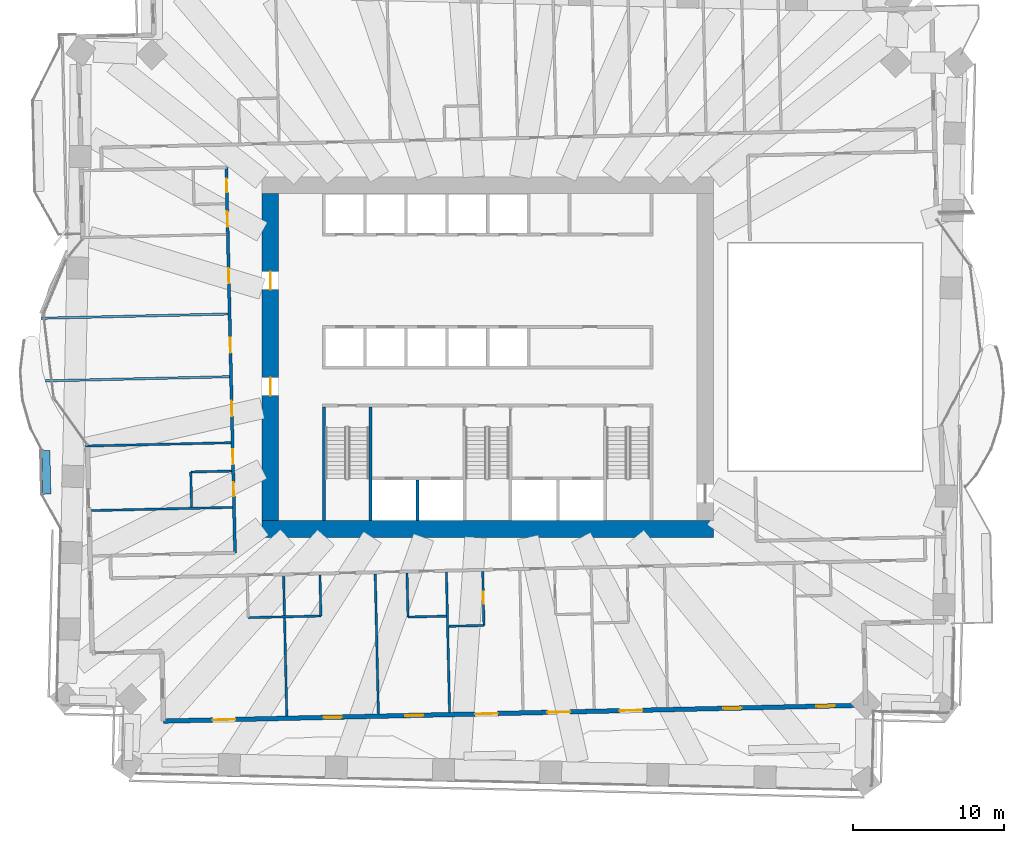
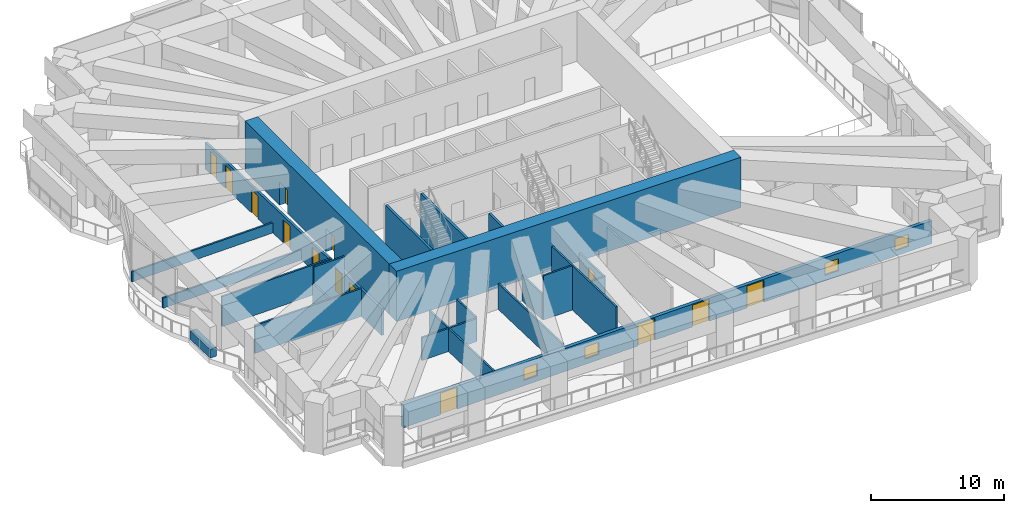
# One storey, part 10 of 20: 23 walls, 14 doors, 4 windows, 18 openings.
"""IFC4 building model written with IfcOpenShell, lengths in metres."""

from ifc_helpers import new_model, si_unit, direction, frame, frame_2d, origin, place, context, subcontext, project, spatial, rectangle, extrude, material, layer, layer_set, type_object, element, fill, save


model = new_model("IFC4")

# Units and contexts
model_context = context("Model", 3, precision=1e-05, world=origin(), true_north=direction((0.0, 1.0)))
body_context = subcontext(model_context, "Body", "Model", "MODEL_VIEW")
ifc_project = project(units=[si_unit("LENGTHUNIT", "METRE"), si_unit("AREAUNIT", "SQUARE_METRE"), si_unit("VOLUMEUNIT", "CUBIC_METRE"), si_unit("PLANEANGLEUNIT", "RADIAN"), si_unit("MASSUNIT", "GRAM", prefix="KILO")], contexts=[model_context])

# Site, building, storey
site_placement = place(None, origin())
site = spatial("IfcSite", under=ifc_project, at=site_placement, CompositionType="ELEMENT")
building_placement = place(site_placement, origin())
building = spatial("IfcBuilding", under=site, at=building_placement, Name="Mangrove Gate Tower", CompositionType="ELEMENT")
storey_placement = place(building_placement, frame((0.0, 0.0, 74.699951171875)))
storey = spatial("IfcBuildingStorey", under=building, at=storey_placement, Name="L18", CompositionType="ELEMENT", Elevation=74.699951171875)

# Walls
ifc_material_1 = material(Name="Concrete C70/85", Category="concrete")
ifc_layer_1 = layer(ifc_material_1, 0.199951171875)
ifc_layer_set_1 = layer_set([ifc_layer_1], Name="Core shaft wall 200 C70/85")
wall_type_1 = type_object("IfcWallType", Name="Core shaft wall 200 C70/85", PredefinedType="SHEAR", material=ifc_layer_set_1)
wall_1_placement = place(storey_placement, frame((-4.64990234375, -10.800048828125, 0.0), z_axis=(0.0, 0.0, 1.0), x_axis=(0.0, 1.0, 0.0)))
element("IfcWall", 1, at=wall_1_placement, inside=storey, type_object=wall_type_1, Name="WALL-L18-CORE-16", PredefinedType="SHEAR", context=body_context, shape_type="SweptSolid", body=[
    extrude(rectangle(XDim=2.699951171875, YDim=0.199951171875, at=frame_2d((1.35009765625, 0.0))), origin(), (0.0, 0.0, 1.0), 4.050048828125),
])
ifc_material_2 = material(Name="Concrete C70/85", Category="concrete")
ifc_layer_2 = layer(ifc_material_2, 0.199951171875)
ifc_layer_set_2 = layer_set([ifc_layer_2], Name="Core stair wall 200 C70/85")
wall_type_2 = type_object("IfcWallType", Name="Core stair wall 200 C70/85", PredefinedType="SHEAR", material=ifc_layer_set_2)
for number, where, z_axis, x_axis, name in (
    (2, (-10.800048828125, -10.800048828125, 0.0), (0.0, 0.0, 1.0), (0.0, 1.0, 0.0), "WALL-L18-CORE-9"),
    (3, (-7.75, -10.800048828125, 0.0), (0.0, 0.0, 1.0), (0.0, 1.0, 0.0), "WALL-L18-CORE-10"),
):
    element("IfcWall", number, at=place(storey_placement, frame(where, z_axis=z_axis, x_axis=x_axis)), inside=storey, type_object=wall_type_2, Name=name, PredefinedType="SHEAR", context=body_context, shape_type="SweptSolid", body=[
        extrude(rectangle(XDim=7.5, YDim=0.199951171875, at=frame_2d((3.75, 0.0))), origin(), (0.0, 0.0, 1.0), 4.050048828125),
    ])
ifc_material_3 = material(Name="Concrete C70/85", Category="concrete")
ifc_layer_3 = layer(ifc_material_3, 1.10009765625)
ifc_layer_set_3 = layer_set([ifc_layer_3], Name="Core wall 1100 C70/85")
wall_type_3 = type_object("IfcWallType", Name="Core wall 1100 C70/85", PredefinedType="SHEAR", material=ifc_layer_set_3)
wall_2_placement = place(storey_placement, frame((-14.89990234375, -11.35009765625, 0.0), z_axis=(0.0, 0.0, 1.0), x_axis=(1.0, 0.0, 0.0)))
element("IfcWall", 4, at=wall_2_placement, inside=storey, type_object=wall_type_3, Name="WALL-L18-CORE-1", PredefinedType="SHEAR", context=body_context, shape_type="SweptSolid", body=[
    extrude(rectangle(XDim=29.7998046875, YDim=1.10009765625, at=frame_2d((14.89990234375, 0.0))), origin(), (0.0, 0.0, 1.0), 4.60009765625),
])

# Wall, openings, doors
wall_3_placement = place(storey_placement, frame((-14.35009765625, -10.800048828125, 0.0), z_axis=(0.0, 0.0, 1.0), x_axis=(0.0, 1.0, 0.0)))
wall_3 = element("IfcWall", 5, at=wall_3_placement, inside=storey, type_object=wall_type_3, Name="WALL-L18-CORE-3", PredefinedType="SHEAR", context=body_context, shape_type="SweptSolid", body=[
    extrude(rectangle(XDim=21.60009765625, YDim=1.10009765625, at=frame_2d((10.800048828125, 0.0))), origin(), (0.0, 0.0, 1.0), 4.60009765625),
])
opening_1_placement = place(wall_3_placement, frame((8.25, 0.0, 0.0)))
opening_1 = element("IfcOpeningElement", 6, at=opening_1_placement, cuts=wall_3, Name="Opening CD", PredefinedType="OPENING", context=body_context, shape_type="SweptSolid", body=[
    extrude(rectangle(XDim=1.199951171875, YDim=2.10009765625, at=frame_2d((0.60009765625, 1.050048828125))), frame((0.0, 0.56005859375, 0.0), z_axis=(0.0, -1.0, 0.0), x_axis=(1.0, 0.0, 0.0)), (0.0, 0.0, 1.0), 1.1201171875),
])
opening_2_placement = place(wall_3_placement, frame((15.25, 0.0, 0.0)))
opening_2 = element("IfcOpeningElement", 7, at=opening_2_placement, cuts=wall_3, Name="Opening CD", PredefinedType="OPENING", context=body_context, shape_type="SweptSolid", body=[
    extrude(rectangle(XDim=1.199951171875, YDim=2.10009765625, at=frame_2d((0.60009765625, 1.050048828125))), frame((0.0, 0.56005859375, 0.0), z_axis=(0.0, -1.0, 0.0), x_axis=(1.0, 0.0, 0.0)), (0.0, 0.0, 1.0), 1.1201171875),
])
ifc_material_4 = material(Name="Fire-rated steel door set", Category="steel")
door_type_1 = type_object("IfcDoorType", Name="Core ring door FD60 1200x2100", OperationType="DOUBLE_DOOR_SINGLE_SWING", PredefinedType="DOOR", material=ifc_material_4)
door_1_placement = place(opening_1_placement, origin())
door_1 = element("IfcDoor", 8, at=door_1_placement, inside=storey, type_object=door_type_1, Name="Core ring door W1", OperationType="DOUBLE_DOOR_SINGLE_SWING", OverallHeight=2.10009765625, OverallWidth=1.199951171875, PredefinedType="DOOR", context=body_context, shape_type="SweptSolid", body=[
    extrude(rectangle(XDim=1.199951171875, YDim=2.10009765625, at=frame_2d((0.60009765625, 1.050048828125))), frame((0.0, 0.02490234375, 0.0), z_axis=(0.0, -1.0, 0.0), x_axis=(1.0, 0.0, 0.0)), (0.0, 0.0, 1.0), 0.050048828125),
])
fill(opening_1, door_1)
door_2_placement = place(opening_2_placement, origin())
door_2 = element("IfcDoor", 9, at=door_2_placement, inside=storey, type_object=door_type_1, Name="Core ring door W2", OperationType="DOUBLE_DOOR_SINGLE_SWING", OverallHeight=2.10009765625, OverallWidth=1.199951171875, PredefinedType="DOOR", context=body_context, shape_type="SweptSolid", body=[
    extrude(rectangle(XDim=1.199951171875, YDim=2.10009765625, at=frame_2d((0.60009765625, 1.050048828125))), frame((0.0, 0.02490234375, 0.0), z_axis=(0.0, -1.0, 0.0), x_axis=(1.0, 0.0, 0.0)), (0.0, 0.0, 1.0), 0.050048828125),
])
fill(opening_2, door_2)

ifc_material_5 = material(Name="Gypsum board on steel stud, EI 60", Category="steel")
ifc_layer_4 = layer(ifc_material_5, 0.199951171875)
ifc_layer_set_4 = layer_set([ifc_layer_4], Name="Corridor wall EI 60")
wall_type_4 = type_object("IfcWallType", Name="Corridor wall EI 60", PredefinedType="PARTITIONING", material=ifc_layer_set_4)
wall_4_placement = place(storey_placement, frame((-16.68408203125, -12.9189453125, 0.0), z_axis=(0.0, 0.0, 1.0), x_axis=(-0.022706151961, 0.999742182097, 0.0)))
wall_4 = element("IfcWall", 10, at=wall_4_placement, inside=storey, type_object=wall_type_4, Name="WALL-L18-026", PredefinedType="PARTITIONING", context=body_context, shape_type="SweptSolid", body=[
    extrude(rectangle(XDim=25.450439453125, YDim=0.199951171875, at=frame_2d((12.72509765625, 0.0))), origin(), (0.0, 0.0, 1.0), 2.449951171875),
])
opening_3_placement = place(wall_4_placement, frame((21.5380859375, 0.0, 0.0)))
opening_3 = element("IfcOpeningElement", 11, at=opening_3_placement, cuts=wall_4, Name="Opening AD", PredefinedType="OPENING", context=body_context, shape_type="SweptSolid", body=[
    extrude(rectangle(XDim=1.0, YDim=2.10009765625, at=frame_2d((0.5, 1.050048828125))), frame((0.0, 0.10986328125, 0.0), z_axis=(0.0, -1.0, 0.0), x_axis=(1.0, 0.0, 0.0)), (0.0, 0.0, 1.0), 0.219970703125),
])
opening_4_placement = place(wall_4_placement, frame((23.800048828125, 0.0, 0.0)))
opening_4 = element("IfcOpeningElement", 12, at=opening_4_placement, cuts=wall_4, Name="Opening SD", PredefinedType="OPENING", context=body_context, shape_type="SweptSolid", body=[
    extrude(rectangle(XDim=0.89990234375, YDim=2.10009765625, at=frame_2d((0.449951171875, 1.050048828125))), frame((0.0, 0.10986328125, 0.0), z_axis=(0.0, -1.0, 0.0), x_axis=(1.0, 0.0, 0.0)), (0.0, 0.0, 1.0), 0.219970703125),
])
opening_5_placement = place(wall_4_placement, frame((17.7958984375, 0.0, 0.0)))
opening_5 = element("IfcOpeningElement", 13, at=opening_5_placement, cuts=wall_4, Name="Opening AD", PredefinedType="OPENING", context=body_context, shape_type="SweptSolid", body=[
    extrude(rectangle(XDim=1.0, YDim=2.10009765625, at=frame_2d((0.5, 1.050048828125))), frame((0.0, 0.10986328125, 0.0), z_axis=(0.0, -1.0, 0.0), x_axis=(1.0, 0.0, 0.0)), (0.0, 0.0, 1.0), 0.219970703125),
])
opening_6_placement = place(wall_4_placement, frame((13.205078125, 0.0, 0.0)))
opening_6 = element("IfcOpeningElement", 14, at=opening_6_placement, cuts=wall_4, Name="Opening AD", PredefinedType="OPENING", context=body_context, shape_type="SweptSolid", body=[
    extrude(rectangle(XDim=1.0, YDim=2.10009765625, at=frame_2d((0.5, 1.050048828125))), frame((0.0, 0.10986328125, 0.0), z_axis=(0.0, -1.0, 0.0), x_axis=(1.0, 0.0, 0.0)), (0.0, 0.0, 1.0), 0.219970703125),
])
opening_7_placement = place(wall_4_placement, frame((9.031005859375, 0.0, 0.0)))
opening_7 = element("IfcOpeningElement", 15, at=opening_7_placement, cuts=wall_4, Name="Opening AD", PredefinedType="OPENING", context=body_context, shape_type="SweptSolid", body=[
    extrude(rectangle(XDim=1.0, YDim=2.10009765625, at=frame_2d((0.5, 1.050048828125))), frame((0.0, 0.10986328125, 0.0), z_axis=(0.0, -1.0, 0.0), x_axis=(1.0, 0.0, 0.0)), (0.0, 0.0, 1.0), 0.219970703125),
])
opening_8_placement = place(wall_4_placement, frame((5.8369140625, 0.0, 0.0)))
opening_8 = element("IfcOpeningElement", 16, at=opening_8_placement, cuts=wall_4, Name="Opening AD", PredefinedType="OPENING", context=body_context, shape_type="SweptSolid", body=[
    extrude(rectangle(XDim=1.0, YDim=2.10009765625, at=frame_2d((0.5, 1.050048828125))), frame((0.0, 0.10986328125, 0.0), z_axis=(0.0, -1.0, 0.0), x_axis=(1.0, 0.0, 0.0)), (0.0, 0.0, 1.0), 0.219970703125),
])
opening_9_placement = place(wall_4_placement, frame((3.75, 0.0, 0.0)))
opening_9 = element("IfcOpeningElement", 17, at=opening_9_placement, cuts=wall_4, Name="Opening SD", PredefinedType="OPENING", context=body_context, shape_type="SweptSolid", body=[
    extrude(rectangle(XDim=0.89990234375, YDim=2.10009765625, at=frame_2d((0.449951171875, 1.050048828125))), frame((0.0, 0.10986328125, 0.0), z_axis=(0.0, -1.0, 0.0), x_axis=(1.0, 0.0, 0.0)), (0.0, 0.0, 1.0), 0.219970703125),
])
ifc_material_6 = material(Name="Timber door leaf", Category="wood")
door_type_2 = type_object("IfcDoorType", Name="Amenity door 1000", OperationType="SINGLE_SWING_LEFT", PredefinedType="DOOR", material=ifc_material_6)
door_3_placement = place(opening_3_placement, origin())
door_3 = element("IfcDoor", 18, at=door_3_placement, inside=storey, type_object=door_type_2, Name="DOOR-L18-STU-c5a", OperationType="SINGLE_SWING_RIGHT", OverallHeight=2.10009765625, OverallWidth=1.0, PredefinedType="DOOR", context=body_context, shape_type="SweptSolid", body=[
    extrude(rectangle(XDim=1.0, YDim=2.10009765625, at=frame_2d((0.5, 1.050048828125))), frame((0.0, 0.02490234375, 0.0), z_axis=(0.0, -1.0, 0.0), x_axis=(1.0, 0.0, 0.0)), (0.0, 0.0, 1.0), 0.050048828125),
])
fill(opening_3, door_3)
door_4_placement = place(opening_5_placement, origin())
door_4 = element("IfcDoor", 19, at=door_4_placement, inside=storey, type_object=door_type_2, Name="DOOR-L18-LNG-c5b", OperationType="SINGLE_SWING_LEFT", OverallHeight=2.10009765625, OverallWidth=1.0, PredefinedType="DOOR", context=body_context, shape_type="SweptSolid", body=[
    extrude(rectangle(XDim=1.0, YDim=2.10009765625, at=frame_2d((0.5, 1.050048828125))), frame((0.0, 0.02490234375, 0.0), z_axis=(0.0, -1.0, 0.0), x_axis=(1.0, 0.0, 0.0)), (0.0, 0.0, 1.0), 0.050048828125),
])
fill(opening_5, door_4)
door_5_placement = place(opening_6_placement, origin())
door_5 = element("IfcDoor", 20, at=door_5_placement, inside=storey, type_object=door_type_2, Name="DOOR-L18-KIT-c5b", OperationType="SINGLE_SWING_RIGHT", OverallHeight=2.10009765625, OverallWidth=1.0, PredefinedType="DOOR", context=body_context, shape_type="SweptSolid", body=[
    extrude(rectangle(XDim=1.0, YDim=2.10009765625, at=frame_2d((0.5, 1.050048828125))), frame((0.0, 0.02490234375, 0.0), z_axis=(0.0, -1.0, 0.0), x_axis=(1.0, 0.0, 0.0)), (0.0, 0.0, 1.0), 0.050048828125),
])
fill(opening_6, door_5)
door_6_placement = place(opening_7_placement, origin())
door_6 = element("IfcDoor", 21, at=door_6_placement, inside=storey, type_object=door_type_2, Name="DOOR-L18-GAM-c5b", OperationType="SINGLE_SWING_LEFT", OverallHeight=2.10009765625, OverallWidth=1.0, PredefinedType="DOOR", context=body_context, shape_type="SweptSolid", body=[
    extrude(rectangle(XDim=1.0, YDim=2.10009765625, at=frame_2d((0.5, 1.050048828125))), frame((0.0, 0.02490234375, 0.0), z_axis=(0.0, -1.0, 0.0), x_axis=(1.0, 0.0, 0.0)), (0.0, 0.0, 1.0), 0.050048828125),
])
fill(opening_7, door_6)
door_7_placement = place(opening_8_placement, origin())
door_7 = element("IfcDoor", 22, at=door_7_placement, inside=storey, type_object=door_type_2, Name="DOOR-L18-KIT-c5c", OperationType="SINGLE_SWING_RIGHT", OverallHeight=2.10009765625, OverallWidth=1.0, PredefinedType="DOOR", context=body_context, shape_type="SweptSolid", body=[
    extrude(rectangle(XDim=1.0, YDim=2.10009765625, at=frame_2d((0.5, 1.050048828125))), frame((0.0, 0.02490234375, 0.0), z_axis=(0.0, -1.0, 0.0), x_axis=(1.0, 0.0, 0.0)), (0.0, 0.0, 1.0), 0.050048828125),
])
fill(opening_8, door_7)
ifc_material_7 = material(Name="Timber door leaf", Category="wood")
door_type_3 = type_object("IfcDoorType", Name="Service room door 900", OperationType="SINGLE_SWING_LEFT", PredefinedType="DOOR", material=ifc_material_7)
door_8_placement = place(opening_4_placement, origin())
door_8 = element("IfcDoor", 23, at=door_8_placement, inside=storey, type_object=door_type_3, Name="DOOR-L18-LIN-c5b", OperationType="SINGLE_SWING_LEFT", OverallHeight=2.10009765625, OverallWidth=0.89990234375, PredefinedType="DOOR", context=body_context, shape_type="SweptSolid", body=[
    extrude(rectangle(XDim=0.89990234375, YDim=2.10009765625, at=frame_2d((0.449951171875, 1.050048828125))), frame((0.0, 0.02490234375, 0.0), z_axis=(0.0, -1.0, 0.0), x_axis=(1.0, 0.0, 0.0)), (0.0, 0.0, 1.0), 0.050048828125),
])
fill(opening_4, door_8)
door_9_placement = place(opening_9_placement, origin())
door_9 = element("IfcDoor", 24, at=door_9_placement, inside=storey, type_object=door_type_3, Name="DOOR-L18-WC-c5a", OperationType="SINGLE_SWING_RIGHT", OverallHeight=2.10009765625, OverallWidth=0.89990234375, PredefinedType="DOOR", context=body_context, shape_type="SweptSolid", body=[
    extrude(rectangle(XDim=0.89990234375, YDim=2.10009765625, at=frame_2d((0.449951171875, 1.050048828125))), frame((0.0, 0.02490234375, 0.0), z_axis=(0.0, -1.0, 0.0), x_axis=(1.0, 0.0, 0.0)), (0.0, 0.0, 1.0), 0.050048828125),
])
fill(opening_9, door_9)

# Wall, openings, doors, windows
ifc_material_8 = material(Name="Limestone", Category="masonry")
ifc_layer_5 = layer(ifc_material_8, 0.0400390625, Name="Limestone cladding")
ifc_material_9 = material(Name="Ventilated air gap")
ifc_layer_6 = layer(ifc_material_9, 0.0400390625, Name="Ventilated cavity")
ifc_material_10 = material(Name="Mineral wool insulation")
ifc_layer_7 = layer(ifc_material_10, 0.06005859375, Name="Insulation")
ifc_material_11 = material(Name="Breather membrane")
ifc_layer_8 = layer(ifc_material_11, 0.001953125, Name="Breather membrane")
ifc_material_12 = material(Name="Concrete C20/25 blockwork", Category="masonry")
ifc_layer_9 = layer(ifc_material_12, 0.14990234375, Name="Blockwork backing wall")
ifc_material_13 = material(Name="Gypsum plaster")
ifc_layer_10 = layer(ifc_material_13, 0.008056640625, Name="Internal plaster")
ifc_layer_set_5 = layer_set([ifc_layer_5, ifc_layer_6, ifc_layer_7, ifc_layer_8, ifc_layer_9, ifc_layer_10], Name="External wall 300 limestone cladding")
wall_type_5 = type_object("IfcWallType", Name="External wall 300 limestone cladding", PredefinedType="SOLIDWALL", material=ifc_layer_set_5)
wall_5_placement = place(storey_placement, frame((-21.408935546875, -24.029052734375, 0.0), z_axis=(0.0, 0.0, 1.0), x_axis=(0.999742634032, 0.022686244721, 0.0)))
wall_5 = element("IfcWall", 25, at=wall_5_placement, inside=storey, type_object=wall_type_5, Name="WALL-L18-S13", PredefinedType="SOLIDWALL", context=body_context, shape_type="SweptSolid", body=[
    extrude(rectangle(XDim=46.371826171875, YDim=0.300048828125, at=frame_2d((23.18603515625, 0.0))), origin(), (0.0, 0.0, 1.0), 2.10009765625),
])
opening_10_placement = place(wall_5_placement, frame((3.25, 0.0, 0.0)))
opening_10 = element("IfcOpeningElement", 26, at=opening_10_placement, cuts=wall_5, Name="Opening BD3", PredefinedType="OPENING", context=body_context, shape_type="SweptSolid", body=[
    extrude(rectangle(XDim=1.5, YDim=2.0, at=frame_2d((0.75, 1.0))), frame((0.0, 0.159912109375, 0.0), z_axis=(0.0, -1.0, 0.0), x_axis=(1.0, 0.0, 0.0)), (0.0, 0.0, 1.0), 0.320068359375),
])
opening_11_placement = place(wall_5_placement, frame((10.574951171875, 0.0, 0.5)))
opening_11 = element("IfcOpeningElement", 27, at=opening_11_placement, cuts=wall_5, Name="Opening W6", PredefinedType="OPENING", context=body_context, shape_type="SweptSolid", body=[
    extrude(rectangle(XDim=1.199951171875, YDim=1.10009765625, at=frame_2d((0.60009765625, 0.550048828125))), frame((0.0, 0.159912109375, 0.0), z_axis=(0.0, -1.0, 0.0), x_axis=(1.0, 0.0, 0.0)), (0.0, 0.0, 1.0), 0.320068359375),
])
opening_12_placement = place(wall_5_placement, frame((15.949951171875, 0.0, 0.5)))
opening_12 = element("IfcOpeningElement", 28, at=opening_12_placement, cuts=wall_5, Name="Opening W6", PredefinedType="OPENING", context=body_context, shape_type="SweptSolid", body=[
    extrude(rectangle(XDim=1.199951171875, YDim=1.10009765625, at=frame_2d((0.60009765625, 0.550048828125))), frame((0.0, 0.159912109375, 0.0), z_axis=(0.0, -1.0, 0.0), x_axis=(1.0, 0.0, 0.0)), (0.0, 0.0, 1.0), 0.320068359375),
])
opening_13_placement = place(wall_5_placement, frame((20.574951171875, 0.0, 0.0)))
opening_13 = element("IfcOpeningElement", 29, at=opening_13_placement, cuts=wall_5, Name="Opening BD3", PredefinedType="OPENING", context=body_context, shape_type="SweptSolid", body=[
    extrude(rectangle(XDim=1.5, YDim=2.0, at=frame_2d((0.75, 1.0))), frame((0.0, 0.159912109375, 0.0), z_axis=(0.0, -1.0, 0.0), x_axis=(1.0, 0.0, 0.0)), (0.0, 0.0, 1.0), 0.320068359375),
])
opening_14_placement = place(wall_5_placement, frame((25.35009765625, 0.0, 0.0)))
opening_14 = element("IfcOpeningElement", 30, at=opening_14_placement, cuts=wall_5, Name="Opening BD3", PredefinedType="OPENING", context=body_context, shape_type="SweptSolid", body=[
    extrude(rectangle(XDim=1.5, YDim=2.0, at=frame_2d((0.75, 1.0))), frame((0.0, 0.159912109375, 0.0), z_axis=(0.0, -1.0, 0.0), x_axis=(1.0, 0.0, 0.0)), (0.0, 0.0, 1.0), 0.320068359375),
])
opening_15_placement = place(wall_5_placement, frame((30.125, 0.0, 0.0)))
opening_15 = element("IfcOpeningElement", 31, at=opening_15_placement, cuts=wall_5, Name="Opening BD3", PredefinedType="OPENING", context=body_context, shape_type="SweptSolid", body=[
    extrude(rectangle(XDim=1.5, YDim=2.0, at=frame_2d((0.75, 1.0))), frame((0.0, 0.159912109375, 0.0), z_axis=(0.0, -1.0, 0.0), x_axis=(1.0, 0.0, 0.0)), (0.0, 0.0, 1.0), 0.320068359375),
])
opening_16_placement = place(wall_5_placement, frame((36.97509765625, 0.0, 0.5)))
opening_16 = element("IfcOpeningElement", 32, at=opening_16_placement, cuts=wall_5, Name="Opening W6", PredefinedType="OPENING", context=body_context, shape_type="SweptSolid", body=[
    extrude(rectangle(XDim=1.199951171875, YDim=1.10009765625, at=frame_2d((0.60009765625, 0.550048828125))), frame((0.0, 0.159912109375, 0.0), z_axis=(0.0, -1.0, 0.0), x_axis=(1.0, 0.0, 0.0)), (0.0, 0.0, 1.0), 0.320068359375),
])
opening_17_placement = place(wall_5_placement, frame((43.114990234375, 0.0, 0.5)))
opening_17 = element("IfcOpeningElement", 33, at=opening_17_placement, cuts=wall_5, Name="Opening W6", PredefinedType="OPENING", context=body_context, shape_type="SweptSolid", body=[
    extrude(rectangle(XDim=1.199951171875, YDim=1.10009765625, at=frame_2d((0.60009765625, 0.550048828125))), frame((0.0, 0.159912109375, 0.0), z_axis=(0.0, -1.0, 0.0), x_axis=(1.0, 0.0, 0.0)), (0.0, 0.0, 1.0), 0.320068359375),
])
ifc_material_14 = material(Name="Aluminium frame with laminated clear glass", Category="aluminium")
door_type_4 = type_object("IfcDoorType", Name="Balcony sliding door 1500x2000", OperationType="SLIDING_TO_LEFT", PredefinedType="DOOR", material=ifc_material_14)
door_10_placement = place(opening_10_placement, origin())
door_10 = element("IfcDoor", 34, at=door_10_placement, inside=storey, type_object=door_type_4, Name="DOOR-L18-S13-1", OperationType="SLIDING_TO_LEFT", OverallHeight=2.0, OverallWidth=1.5, PredefinedType="DOOR", context=body_context, shape_type="SweptSolid", body=[
    extrude(rectangle(XDim=1.5, YDim=2.0, at=frame_2d((0.75, 1.0))), frame((0.0, 0.02490234375, 0.0), z_axis=(0.0, -1.0, 0.0), x_axis=(1.0, 0.0, 0.0)), (0.0, 0.0, 1.0), 0.050048828125),
])
fill(opening_10, door_10)
door_11_placement = place(opening_13_placement, origin())
door_11 = element("IfcDoor", 35, at=door_11_placement, inside=storey, type_object=door_type_4, Name="DOOR-L18-S13-4", OperationType="SLIDING_TO_LEFT", OverallHeight=2.0, OverallWidth=1.5, PredefinedType="DOOR", context=body_context, shape_type="SweptSolid", body=[
    extrude(rectangle(XDim=1.5, YDim=2.0, at=frame_2d((0.75, 1.0))), frame((0.0, 0.02490234375, 0.0), z_axis=(0.0, -1.0, 0.0), x_axis=(1.0, 0.0, 0.0)), (0.0, 0.0, 1.0), 0.050048828125),
])
fill(opening_13, door_11)
door_12_placement = place(opening_14_placement, origin())
door_12 = element("IfcDoor", 36, at=door_12_placement, inside=storey, type_object=door_type_4, Name="DOOR-L18-S13-5", OperationType="SLIDING_TO_LEFT", OverallHeight=2.0, OverallWidth=1.5, PredefinedType="DOOR", context=body_context, shape_type="SweptSolid", body=[
    extrude(rectangle(XDim=1.5, YDim=2.0, at=frame_2d((0.75, 1.0))), frame((0.0, 0.02490234375, 0.0), z_axis=(0.0, -1.0, 0.0), x_axis=(1.0, 0.0, 0.0)), (0.0, 0.0, 1.0), 0.050048828125),
])
fill(opening_14, door_12)
door_13_placement = place(opening_15_placement, origin())
door_13 = element("IfcDoor", 37, at=door_13_placement, inside=storey, type_object=door_type_4, Name="DOOR-L18-S13-6", OperationType="SLIDING_TO_LEFT", OverallHeight=2.0, OverallWidth=1.5, PredefinedType="DOOR", context=body_context, shape_type="SweptSolid", body=[
    extrude(rectangle(XDim=1.5, YDim=2.0, at=frame_2d((0.75, 1.0))), frame((0.0, 0.02490234375, 0.0), z_axis=(0.0, -1.0, 0.0), x_axis=(1.0, 0.0, 0.0)), (0.0, 0.0, 1.0), 0.050048828125),
])
fill(opening_15, door_13)
ifc_material_15 = material(Name="Aluminium frame with double-glazed low-e glass", Category="aluminium")
window_type = type_object("IfcWindowType", Name="Low window 1200x1100", PartitioningType="SINGLE_PANEL", PredefinedType="WINDOW", material=ifc_material_15)
window_1_placement = place(opening_11_placement, origin())
window_1 = element("IfcWindow", 38, at=window_1_placement, inside=storey, type_object=window_type, Name="WIN-L18-S13-2", OverallHeight=1.10009765625, OverallWidth=1.199951171875, PartitioningType="SINGLE_PANEL", PredefinedType="WINDOW", context=body_context, shape_type="SweptSolid", body=[
    extrude(rectangle(XDim=1.199951171875, YDim=1.10009765625, at=frame_2d((0.60009765625, 0.550048828125))), frame((0.0, 0.030029296875, 0.0), z_axis=(0.0, -1.0, 0.0), x_axis=(1.0, 0.0, 0.0)), (0.0, 0.0, 1.0), 0.06005859375),
])
fill(opening_11, window_1)
window_2_placement = place(opening_12_placement, origin())
window_2 = element("IfcWindow", 39, at=window_2_placement, inside=storey, type_object=window_type, Name="WIN-L18-S13-3", OverallHeight=1.10009765625, OverallWidth=1.199951171875, PartitioningType="SINGLE_PANEL", PredefinedType="WINDOW", context=body_context, shape_type="SweptSolid", body=[
    extrude(rectangle(XDim=1.199951171875, YDim=1.10009765625, at=frame_2d((0.60009765625, 0.550048828125))), frame((0.0, 0.030029296875, 0.0), z_axis=(0.0, -1.0, 0.0), x_axis=(1.0, 0.0, 0.0)), (0.0, 0.0, 1.0), 0.06005859375),
])
fill(opening_12, window_2)
window_3_placement = place(opening_16_placement, origin())
window_3 = element("IfcWindow", 40, at=window_3_placement, inside=storey, type_object=window_type, Name="WIN-L18-S13-7", OverallHeight=1.10009765625, OverallWidth=1.199951171875, PartitioningType="SINGLE_PANEL", PredefinedType="WINDOW", context=body_context, shape_type="SweptSolid", body=[
    extrude(rectangle(XDim=1.199951171875, YDim=1.10009765625, at=frame_2d((0.60009765625, 0.550048828125))), frame((0.0, 0.030029296875, 0.0), z_axis=(0.0, -1.0, 0.0), x_axis=(1.0, 0.0, 0.0)), (0.0, 0.0, 1.0), 0.06005859375),
])
fill(opening_16, window_3)
window_4_placement = place(opening_17_placement, origin())
window_4 = element("IfcWindow", 41, at=window_4_placement, inside=storey, type_object=window_type, Name="WIN-L18-S13-8", OverallHeight=1.10009765625, OverallWidth=1.199951171875, PartitioningType="SINGLE_PANEL", PredefinedType="WINDOW", context=body_context, shape_type="SweptSolid", body=[
    extrude(rectangle(XDim=1.199951171875, YDim=1.10009765625, at=frame_2d((0.60009765625, 0.550048828125))), frame((0.0, 0.030029296875, 0.0), z_axis=(0.0, -1.0, 0.0), x_axis=(1.0, 0.0, 0.0)), (0.0, 0.0, 1.0), 0.06005859375),
])
fill(opening_17, window_4)

# Walls
ifc_material_16 = material(Name="Gypsum board on steel stud, EI 60", Category="steel")
ifc_layer_11 = layer(ifc_material_16, 0.14990234375)
ifc_layer_set_6 = layer_set([ifc_layer_11], Name="Party wall 150 EI 60")
wall_type_6 = type_object("IfcWallType", Name="Party wall 150 EI 60", PredefinedType="PARTITIONING", material=ifc_layer_set_6)
wall_6_placement = place(storey_placement, frame((-13.26904296875, -23.694091796875, 0.0), z_axis=(0.0, 0.0, 1.0), x_axis=(-0.022697424684, 0.999742380272, 0.0)))
element("IfcWall", 42, at=wall_6_placement, inside=storey, type_object=wall_type_6, Name="WALL-L18-001", PredefinedType="PARTITIONING", context=body_context, shape_type="SweptSolid", body=[
    extrude(rectangle(XDim=9.25048828125, YDim=0.14990234375, at=frame_2d((4.625244140625, 0.0))), origin(), (0.0, 0.0, 1.0), 2.10009765625),
])
wall_7_placement = place(storey_placement, frame((-7.219970703125, -23.556884765625, 0.0), z_axis=(0.0, 0.0, 1.0), x_axis=(-0.022698023584, 0.999742366675, 0.0)))
element("IfcWall", 43, at=wall_7_placement, inside=storey, type_object=wall_type_6, Name="WALL-L18-002", PredefinedType="PARTITIONING", context=body_context, shape_type="SweptSolid", body=[
    extrude(rectangle(XDim=9.250244140625, YDim=0.14990234375, at=frame_2d((4.625, 0.0))), origin(), (0.0, 0.0, 1.0), 2.35009765625),
])
wall_8_placement = place(storey_placement, frame((-2.52197265625, -23.449951171875, 0.0), z_axis=(0.0, 0.0, 1.0), x_axis=(-0.022591909275, 0.999744770247, 0.0)))
element("IfcWall", 44, at=wall_8_placement, inside=storey, type_object=wall_type_6, Name="WALL-L18-003", PredefinedType="PARTITIONING", context=body_context, shape_type="SweptSolid", body=[
    extrude(rectangle(XDim=9.25048828125, YDim=0.14990234375, at=frame_2d((4.625244140625, 0.0))), origin(), (0.0, 0.0, 1.0), 4.050048828125),
])
wall_9_placement = place(storey_placement, frame((-2.571044921875, -17.77001953125, 0.0), z_axis=(0.0, 0.0, 1.0), x_axis=(0.999740260747, 0.02279059109, 0.0)))
element("IfcWall", 45, at=wall_9_placement, inside=storey, type_object=wall_type_6, Name="WALL-L18-008", PredefinedType="PARTITIONING", context=body_context, shape_type="SweptSolid", body=[
    extrude(rectangle(XDim=2.324462890625, YDim=0.14990234375, at=frame_2d((1.162109375, 0.0))), origin(), (0.0, 0.0, 1.0), 2.550048828125),
])

# Wall, opening, door
wall_10_placement = place(storey_placement, frame((-0.2509765625, -17.717041015625, 0.0), z_axis=(0.0, 0.0, 1.0), x_axis=(-0.022704317552, 0.999742223758, 0.0)))
wall_10 = element("IfcWall", 46, at=wall_10_placement, inside=storey, type_object=wall_type_6, Name="WALL-L18-009", PredefinedType="PARTITIONING", context=body_context, shape_type="SweptSolid", body=[
    extrude(rectangle(XDim=3.570068359375, YDim=0.14990234375, at=frame_2d((1.78515625, 0.0))), origin(), (0.0, 0.0, 1.0), 2.550048828125),
])
opening_18_placement = place(wall_10_placement, frame((1.43505859375, 0.0, 0.0)))
opening_18 = element("IfcOpeningElement", 47, at=opening_18_placement, cuts=wall_10, Name="Opening ED", PredefinedType="OPENING", context=body_context, shape_type="SweptSolid", body=[
    extrude(rectangle(XDim=0.800048828125, YDim=2.10009765625, at=frame_2d((0.39990234375, 1.050048828125))), frame((0.0, 0.0849609375, 0.0), z_axis=(0.0, -1.0, 0.0), x_axis=(1.0, 0.0, 0.0)), (0.0, 0.0, 1.0), 0.169921875),
])
ifc_material_17 = material(Name="Timber door leaf", Category="wood")
door_type_5 = type_object("IfcDoorType", Name="En-suite door 800", OperationType="SINGLE_SWING_LEFT", PredefinedType="DOOR", material=ifc_material_17)
door_14_placement = place(opening_18_placement, origin())
door_14 = element("IfcDoor", 48, at=door_14_placement, inside=storey, type_object=door_type_5, Name="DOOR-L18-ENS-c101", OperationType="SINGLE_SWING_LEFT", OverallHeight=2.10009765625, OverallWidth=0.800048828125, PredefinedType="DOOR", context=body_context, shape_type="SweptSolid", body=[
    extrude(rectangle(XDim=0.800048828125, YDim=2.10009765625, at=frame_2d((0.39990234375, 1.050048828125))), frame((0.0, 0.02490234375, 0.0), z_axis=(0.0, -1.0, 0.0), x_axis=(1.0, 0.0, 0.0)), (0.0, 0.0, 1.0), 0.050048828125),
])
fill(opening_18, door_14)

# Walls
wall_11_placement = place(storey_placement, frame((-5.264892578125, -17.160888671875, 0.0), z_axis=(0.0, 0.0, 1.0), x_axis=(-0.022809352981, 0.999739832865, 0.0)))
element("IfcWall", 49, at=wall_11_placement, inside=storey, type_object=wall_type_6, Name="WALL-L18-014", PredefinedType="PARTITIONING", context=body_context, shape_type="SweptSolid", body=[
    extrude(rectangle(XDim=2.900634765625, YDim=0.14990234375, at=frame_2d((1.4501953125, 0.0))), origin(), (0.0, 0.0, 1.0), 2.35009765625),
])
wall_12_placement = place(storey_placement, frame((-5.260986328125, -17.159912109375, 0.0), z_axis=(0.0, 0.0, 1.0), x_axis=(0.9997461113, 0.022532486354, 0.0)))
element("IfcWall", 50, at=wall_12_placement, inside=storey, type_object=wall_type_6, Name="WALL-L18-015", PredefinedType="PARTITIONING", context=body_context, shape_type="SweptSolid", body=[
    extrude(rectangle(XDim=2.524658203125, YDim=0.14990234375, at=frame_2d((1.26220703125, 0.0))), origin(), (0.0, 0.0, 1.0), 4.050048828125),
])
wall_13_placement = place(storey_placement, frame((-15.81298828125, -17.199951171875, 0.0), z_axis=(0.0, 0.0, 1.0), x_axis=(0.999742701292, 0.022683280499, 0.0)))
element("IfcWall", 51, at=wall_13_placement, inside=storey, type_object=wall_type_6, Name="WALL-L18-017", PredefinedType="PARTITIONING", context=body_context, shape_type="SweptSolid", body=[
    extrude(rectangle(XDim=4.80029296875, YDim=0.14990234375, at=frame_2d((2.400146484375, 0.0))), origin(), (0.0, 0.0, 1.0), 2.10009765625),
])
wall_14_placement = place(storey_placement, frame((-11.01806640625, -17.091064453125, 0.0), z_axis=(0.0, 0.0, 1.0), x_axis=(-0.02260842146, 0.999744396973, 0.0)))
element("IfcWall", 52, at=wall_14_placement, inside=storey, type_object=wall_type_6, Name="WALL-L18-018", PredefinedType="PARTITIONING", context=body_context, shape_type="SweptSolid", body=[
    extrude(rectangle(XDim=2.69970703125, YDim=0.14990234375, at=frame_2d((1.349853515625, 0.0))), origin(), (0.0, 0.0, 1.0), 2.25),
])
wall_15_placement = place(storey_placement, frame((-26.176025390625, -10.133056640625, 0.0), z_axis=(0.0, 0.0, 1.0), x_axis=(0.999741511276, 0.022735668724, 0.0)))
element("IfcWall", 53, at=wall_15_placement, inside=storey, type_object=wall_type_6, Name="WALL-L18-030", PredefinedType="PARTITIONING", context=body_context, shape_type="SweptSolid", body=[
    extrude(rectangle(XDim=9.33154296875, YDim=0.14990234375, at=frame_2d((4.665771484375, 0.0))), origin(), (0.0, 0.0, 1.0), 2.550048828125),
])
wall_16_placement = place(storey_placement, frame((-19.552978515625, -9.907958984375, 0.0), z_axis=(0.0, 0.0, 1.0), x_axis=(-0.022781023197, 0.999740478815, 0.0)))
element("IfcWall", 54, at=wall_16_placement, inside=storey, type_object=wall_type_6, Name="WALL-L18-031", PredefinedType="PARTITIONING", context=body_context, shape_type="SweptSolid", body=[
    extrude(rectangle(XDim=2.325439453125, YDim=0.14990234375, at=frame_2d((1.16259765625, 0.0))), origin(), (0.0, 0.0, 1.0), 2.550048828125),
])
wall_17_placement = place(storey_placement, frame((-19.60107421875, -7.5830078125, 0.0), z_axis=(0.0, 0.0, 1.0), x_axis=(0.999744396973, 0.02260842146, 0.0)))
element("IfcWall", 55, at=wall_17_placement, inside=storey, type_object=wall_type_6, Name="WALL-L18-032", PredefinedType="PARTITIONING", context=body_context, shape_type="SweptSolid", body=[
    extrude(rectangle(XDim=2.69970703125, YDim=0.14990234375, at=frame_2d((1.349853515625, 0.0))), origin(), (0.0, 0.0, 1.0), 4.050048828125),
])
wall_18_placement = place(storey_placement, frame((-26.572998046875, -5.87109375, 0.0), z_axis=(0.0, 0.0, 1.0), x_axis=(0.999743768709, 0.022636186244, 0.0)))
element("IfcWall", 56, at=wall_18_placement, inside=storey, type_object=wall_type_6, Name="WALL-L18-033", PredefinedType="PARTITIONING", context=body_context, shape_type="SweptSolid", body=[
    extrude(rectangle(XDim=9.63134765625, YDim=0.14990234375, at=frame_2d((4.815673828125, 0.0))), origin(), (0.0, 0.0, 1.0), 2.75),
])
wall_19_placement = place(storey_placement, frame((-29.18798828125, -1.569091796875, 0.0), z_axis=(0.0, 0.0, 1.0), x_axis=(0.999743472241, 0.022649276187, 0.0)))
element("IfcWall", 57, at=wall_19_placement, inside=storey, type_object=wall_type_6, Name="WALL-L18-034", PredefinedType="PARTITIONING", context=body_context, shape_type="SweptSolid", body=[
    extrude(rectangle(XDim=12.148193359375, YDim=0.14990234375, at=frame_2d((6.07421875, 0.0))), origin(), (0.0, 0.0, 1.0), 0.929931640625),
])
wall_20_placement = place(storey_placement, frame((-29.501953125, 2.56494140625, 0.0), z_axis=(0.0, 0.0, 1.0), x_axis=(0.999743656464, 0.022641143088, 0.0)))
element("IfcWall", 58, at=wall_20_placement, inside=storey, type_object=wall_type_6, Name="WALL-L18-035", PredefinedType="PARTITIONING", context=body_context, shape_type="SweptSolid", body=[
    extrude(rectangle(XDim=12.3681640625, YDim=0.14990234375, at=frame_2d((6.18408203125, 0.0))), origin(), (0.0, 0.0, 1.0), 0.929931640625),
])
ifc_material_18 = material(Name="Concrete C32/40", Category="concrete")
ifc_layer_12 = layer(ifc_material_18, 0.199951171875, Name="Planter trough wall")
ifc_material_19 = material(Name="Bituminous waterproofing membrane")
ifc_layer_13 = layer(ifc_material_19, 0.0048828125, Name="Waterproofing")
ifc_material_20 = material(Name="Drainage board and gravel")
ifc_layer_14 = layer(ifc_material_20, 0.044921875, Name="Drainage layer")
ifc_material_21 = material(Name="Planting soil")
ifc_layer_15 = layer(ifc_material_21, 0.300048828125, Name="Growing medium")
ifc_layer_set_7 = layer_set([ifc_layer_12, ifc_layer_13, ifc_layer_14, ifc_layer_15], Name="Planter wall 550 C32/40")
wall_type_7 = type_object("IfcWallType", Name="Planter wall 550 C32/40", PredefinedType="USERDEFINED", material=ifc_layer_set_7)
wall_21_placement = place(storey_placement, frame((-29.115966796875, -9.050048828125, 0.0), z_axis=(0.0, 0.0, 1.0), x_axis=(-0.022590224177, 0.999744808324, 0.0)))
element("IfcWall", 59, at=wall_21_placement, inside=storey, type_object=wall_type_7, Name="PLANTER L18 W1.1", ObjectType="PLANTER", PredefinedType="USERDEFINED", context=body_context, shape_type="SweptSolid", body=[
    extrude(rectangle(XDim=2.874755859375, YDim=0.550048828125, at=frame_2d((1.4375, 0.0))), origin(), (0.0, 0.0, 1.0), 0.800048828125),
])

save(model, "model.ifc")
